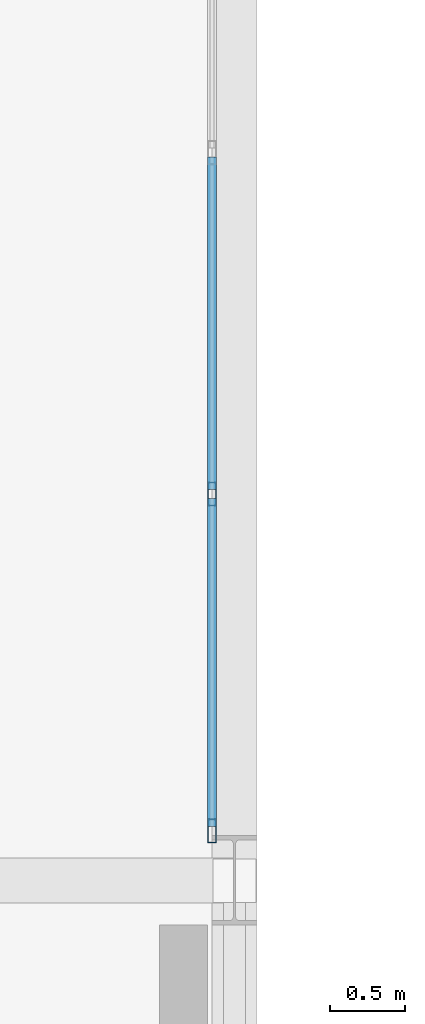
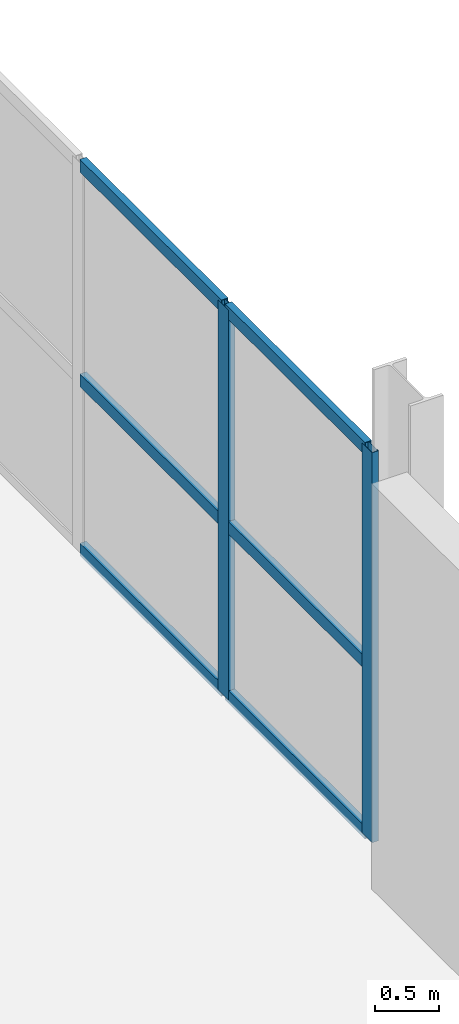
# One storey, part 48 of 109: 8 members, 1 element without a shape of its own.
"""IFC4 building model written with IfcOpenShell, lengths in metres."""

from ifc_helpers import new_model, si_unit, direction, frame, origin, origin_2d, place, context, subcontext, project, spatial, hollow_rectangle, extrude, material, material_profile, profile_set, type_object, element, aggregate, save


model = new_model("IFC4")

# Units and contexts
model_context = context("Model", 3, precision=1e-05, world=origin(), true_north=direction((0.0, 1.0)))
body_context = subcontext(model_context, "Body", "Model", "MODEL_VIEW")
ifc_project = project(units=[si_unit("LENGTHUNIT", "METRE"), si_unit("AREAUNIT", "SQUARE_METRE"), si_unit("VOLUMEUNIT", "CUBIC_METRE"), si_unit("PLANEANGLEUNIT", "RADIAN"), si_unit("MASSUNIT", "GRAM", prefix="KILO")], contexts=[model_context])

# Site, building, storey
site_placement = place(None, origin())
site = spatial("IfcSite", under=ifc_project, at=site_placement, CompositionType="ELEMENT")
building_placement = place(site_placement, origin())
building = spatial("IfcBuilding", under=site, at=building_placement, Name="Veltarok Museum of Natural Sciences", CompositionType="ELEMENT")
storey_placement = place(building_placement, frame((0.0, 0.0, 17.39990234375)))
storey = spatial("IfcBuildingStorey", under=building, at=storey_placement, Name="L03", CompositionType="ELEMENT", Elevation=17.39990234375)

# Curtain wall, members
ifc_material_1 = material(Name="Low-iron triple insulated glass", Category="glass")
curtain_wall_type = type_object("IfcCurtainWallType", Name="Curtain Wall System CW-V2E-L03-3-1140x373 (CW-V2E L03 1140x373cm)", PredefinedType="NOTDEFINED", material=ifc_material_1)
curtain_wall_placement = place(storey_placement, origin())
curtain_wall = element("IfcCurtainWall", 1, at=curtain_wall_placement, inside=storey, type_object=curtain_wall_type, Name="Curtain Wall CW-V2E-L03-3-1140x373 CW-0135", PredefinedType="NOTDEFINED")
ifc_material_2 = material(Name="Thermally broken anodised aluminium", Category="aluminium")
ifc_material_profile_1 = material_profile(ifc_material_2, hollow_rectangle(XDim=0.06005859375, YDim=0.1201171875, WallThickness=0.0048828125, at=origin_2d()), Name="CW TRANSOM 60x120x5")
ifc_profile_set_1 = profile_set([ifc_material_profile_1], Name="Thermally broken anodised aluminium")
member_type_1 = type_object("IfcMemberType", Name="Curtain Wall Horizontal Transom 60x120x5", PredefinedType="USERDEFINED", material=ifc_profile_set_1)
member_1_placement = place(storey_placement, frame((98.64990234375, 48.360107421875, 0.028076171875), z_axis=(0.0, 1.0, 0.0), x_axis=(-1.0, 0.0, 0.0)))
member_1 = element("IfcMember", 2, at=member_1_placement, type_object=member_type_1, Name="CW-V2E-L03-3-1140x373 transom 1.1", ObjectType="TRANSOM", PredefinedType="USERDEFINED", context=body_context, shape_type="SweptSolid", body=[
    extrude(hollow_rectangle(XDim=0.06005859375, YDim=0.1201171875, WallThickness=0.0048828125, at=origin_2d()), origin(), (0.0, 0.0, 1.0), 2.18994140625),
])
member_2_placement = place(storey_placement, frame((98.64990234375, 48.360107421875, 1.648193359375), z_axis=(0.0, 1.0, 0.0), x_axis=(-1.0, 0.0, 0.0)))
member_2 = element("IfcMember", 3, at=member_2_placement, type_object=member_type_1, Name="CW-V2E-L03-3-1140x373 transom 1.2", ObjectType="TRANSOM", PredefinedType="USERDEFINED", context=body_context, shape_type="SweptSolid", body=[
    extrude(hollow_rectangle(XDim=0.06005859375, YDim=0.1201171875, WallThickness=0.0048828125, at=origin_2d()), origin(), (0.0, 0.0, 1.0), 2.18994140625),
])
member_3_placement = place(storey_placement, frame((98.64990234375, 48.360107421875, 3.7001953125), z_axis=(0.0, 1.0, 0.0), x_axis=(-1.0, 0.0, 0.0)))
member_3 = element("IfcMember", 4, at=member_3_placement, type_object=member_type_1, Name="CW-V2E-L03-3-1140x373 transom 1.3", ObjectType="TRANSOM", PredefinedType="USERDEFINED", context=body_context, shape_type="SweptSolid", body=[
    extrude(hollow_rectangle(XDim=0.06005859375, YDim=0.1201171875, WallThickness=0.0048828125, at=origin_2d()), origin(), (0.0, 0.0, 1.0), 2.18994140625),
])
member_4_placement = place(storey_placement, frame((98.64990234375, 50.610107421875, 0.028076171875), z_axis=(0.0, 1.0, 0.0), x_axis=(-1.0, 0.0, 0.0)))
member_4 = element("IfcMember", 5, at=member_4_placement, type_object=member_type_1, Name="CW-V2E-L03-3-1140x373 transom 2.1", ObjectType="TRANSOM", PredefinedType="USERDEFINED", context=body_context, shape_type="SweptSolid", body=[
    extrude(hollow_rectangle(XDim=0.06005859375, YDim=0.1201171875, WallThickness=0.0048828125, at=origin_2d()), origin(), (0.0, 0.0, 1.0), 2.219970703125),
])
member_5_placement = place(storey_placement, frame((98.64990234375, 50.610107421875, 1.648193359375), z_axis=(0.0, 1.0, 0.0), x_axis=(-1.0, 0.0, 0.0)))
member_5 = element("IfcMember", 6, at=member_5_placement, type_object=member_type_1, Name="CW-V2E-L03-3-1140x373 transom 2.2", ObjectType="TRANSOM", PredefinedType="USERDEFINED", context=body_context, shape_type="SweptSolid", body=[
    extrude(hollow_rectangle(XDim=0.06005859375, YDim=0.1201171875, WallThickness=0.0048828125, at=origin_2d()), origin(), (0.0, 0.0, 1.0), 2.219970703125),
])
member_6_placement = place(storey_placement, frame((98.64990234375, 50.610107421875, 3.7001953125), z_axis=(0.0, 1.0, 0.0), x_axis=(-1.0, 0.0, 0.0)))
member_6 = element("IfcMember", 7, at=member_6_placement, type_object=member_type_1, Name="CW-V2E-L03-3-1140x373 transom 2.3", ObjectType="TRANSOM", PredefinedType="USERDEFINED", context=body_context, shape_type="SweptSolid", body=[
    extrude(hollow_rectangle(XDim=0.06005859375, YDim=0.1201171875, WallThickness=0.0048828125, at=origin_2d()), origin(), (0.0, 0.0, 1.0), 2.219970703125),
])
ifc_material_profile_2 = material_profile(ifc_material_2, hollow_rectangle(XDim=0.06005859375, YDim=0.159912109375, WallThickness=0.0048828125, at=origin_2d()), Name="CW MULLION 60x160x5")
ifc_profile_set_2 = profile_set([ifc_material_profile_2], Name="Thermally broken anodised aluminium")
member_type_2 = type_object("IfcMemberType", Name="Curtain Wall Vertical Mullion 60x160x5", PredefinedType="MULLION", material=ifc_profile_set_2)
member_7_placement = place(storey_placement, frame((98.64990234375, 48.330078125, -0.001953125), z_axis=(0.0, 0.0, 1.0), x_axis=(-1.0, 0.0, 0.0)))
member_7 = element("IfcMember", 8, at=member_7_placement, type_object=member_type_2, Name="CW-V2E-L03-3-1140x373 mullion 1", PredefinedType="MULLION", context=body_context, shape_type="SweptSolid", body=[
    extrude(hollow_rectangle(XDim=0.06005859375, YDim=0.159912109375, WallThickness=0.0048828125, at=origin_2d()), origin(), (0.0, 0.0, 1.0), 3.73193359375),
])
member_8_placement = place(storey_placement, frame((98.64990234375, 50.580078125, -0.001953125), z_axis=(0.0, 0.0, 1.0), x_axis=(-1.0, 0.0, 0.0)))
member_8 = element("IfcMember", 9, at=member_8_placement, type_object=member_type_2, Name="CW-V2E-L03-3-1140x373 mullion 2", PredefinedType="MULLION", context=body_context, shape_type="SweptSolid", body=[
    extrude(hollow_rectangle(XDim=0.06005859375, YDim=0.159912109375, WallThickness=0.0048828125, at=origin_2d()), origin(), (0.0, 0.0, 1.0), 3.73193359375),
])
aggregate(curtain_wall, [member_7, member_8, member_1, member_2, member_3, member_4, member_5, member_6])

save(model, "model.ifc")
